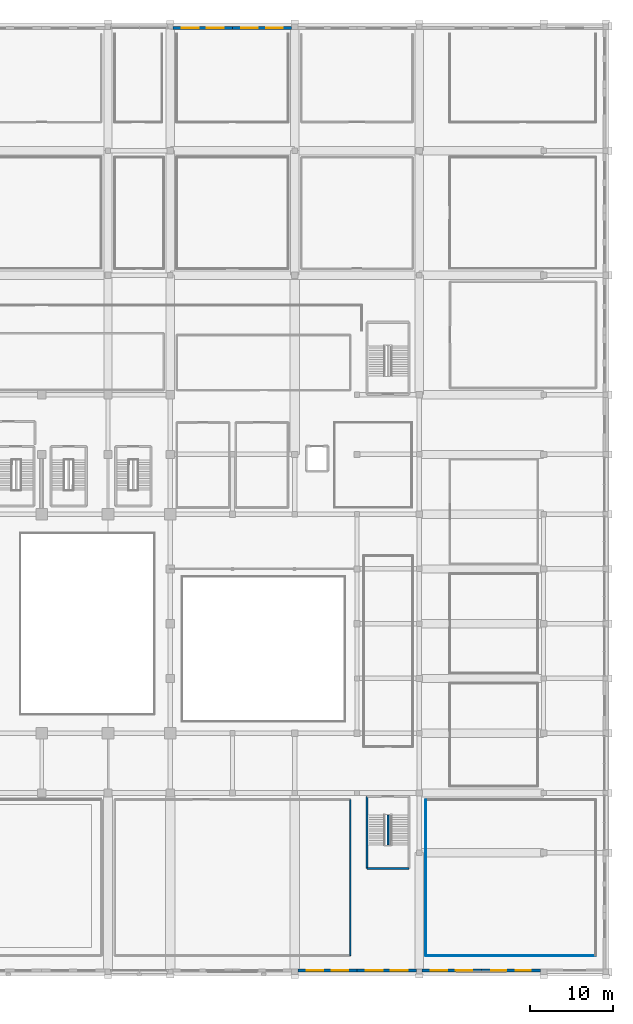
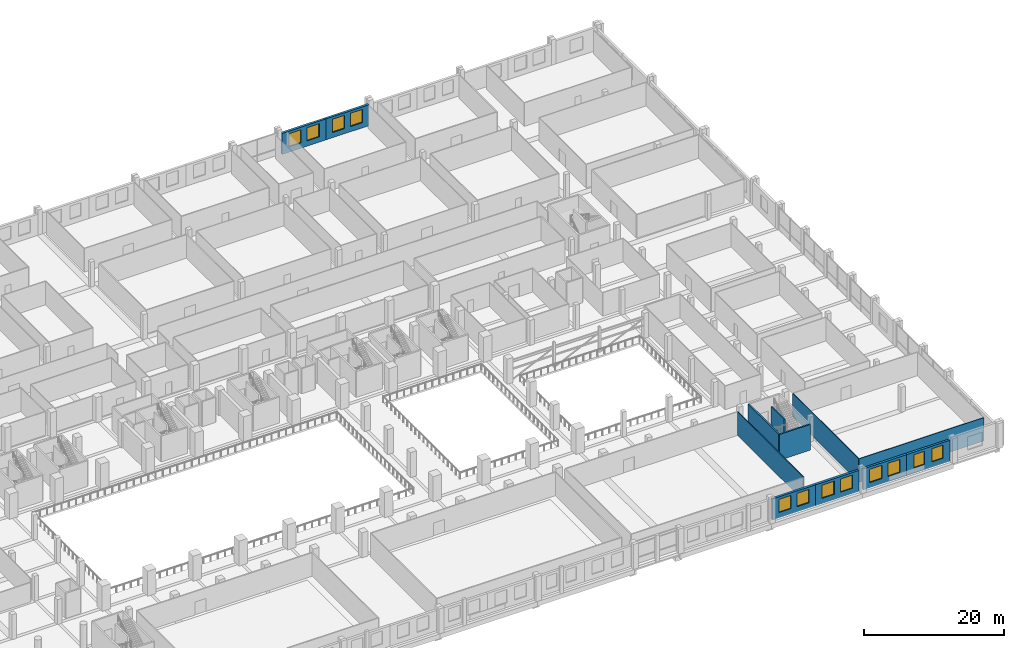
# One storey, part 50 of 64: 12 walls, 12 windows, 12 openings.
"""IFC4 building model written with IfcOpenShell, lengths in metres."""

from ifc_helpers import new_model, si_unit, direction, frame, frame_2d, origin, place, context, subcontext, project, spatial, rectangle, extrude, material, layer, layer_set, type_object, element, fill, save


model = new_model("IFC4")

# Units and contexts
model_context = context("Model", 3, precision=1e-05, world=origin(), true_north=direction((0.0, 1.0)))
body_context = subcontext(model_context, "Body", "Model", "MODEL_VIEW")
ifc_project = project(units=[si_unit("LENGTHUNIT", "METRE"), si_unit("AREAUNIT", "SQUARE_METRE"), si_unit("VOLUMEUNIT", "CUBIC_METRE"), si_unit("PLANEANGLEUNIT", "RADIAN"), si_unit("MASSUNIT", "GRAM", prefix="KILO")], contexts=[model_context])

# Site, building, storey
site_placement = place(None, origin())
site = spatial("IfcSite", under=ifc_project, at=site_placement, CompositionType="ELEMENT")
building_placement = place(site_placement, origin())
building = spatial("IfcBuilding", under=site, at=building_placement, Name="Akrevak Sports Hall", CompositionType="ELEMENT")
storey_placement = place(building_placement, frame((0.0, 0.0, 4.60009765625)))
storey = spatial("IfcBuildingStorey", under=building, at=storey_placement, Name="L01", CompositionType="ELEMENT", Elevation=4.60009765625)

# Wall, openings, windows
ifc_material_1 = material(Name="Limestone Ashlar", Category="stone")
ifc_layer_1 = layer(ifc_material_1, 0.080078125, Name="Limestone Ashlar")
ifc_material_2 = material(Name="Mineral Wool Thermal Insulation", Category="insulation")
ifc_layer_2 = layer(ifc_material_2, 0.10009765625, Name="Mineral Wool Thermal Insulation")
ifc_material_3 = material(Name="Concrete C40/50", Category="concrete")
ifc_layer_3 = layer(ifc_material_3, 0.199951171875, Name="Concrete C40/50")
ifc_layer_set_1 = layer_set([ifc_layer_1, ifc_layer_2, ifc_layer_3], Name="Limestone Ashlar / Mineral Wool Thermal Insulation / Concrete C40/50")
wall_type_1 = type_object("IfcWallType", Name="ARC-WL-EXT-380", PredefinedType="SOLIDWALL", material=ifc_layer_set_1)
wall_1_placement = place(storey_placement, frame((130.875, 0.18994140625, 0.0), z_axis=(0.0, 0.0, 1.0), x_axis=(1.0, 0.0, 0.0)))
wall_1 = element("IfcWall", 1, at=wall_1_placement, inside=storey, type_object=wall_type_1, Name="Exterior Limestone Wall L01-S16", PredefinedType="SOLIDWALL", context=body_context, shape_type="SweptSolid", body=[
    extrude(rectangle(XDim=7.125, YDim=0.3798828125, at=frame_2d((3.5625, 0.0))), origin(), (0.0, 0.0, 1.0), 3.64990234375),
])
opening_1_placement = place(wall_1_placement, frame((1.066162109375, 0.0, 0.919921875)))
opening_1 = element("IfcOpeningElement", 2, at=opening_1_placement, cuts=wall_1, Name="Opening WN-29", PredefinedType="OPENING", context=body_context, shape_type="SweptSolid", body=[
    extrude(rectangle(XDim=2.0, YDim=2.300048828125, at=frame_2d((1.0, 1.14990234375))), frame((0.0, 0.201904296875, 0.0), z_axis=(0.0, -1.0, 0.0), x_axis=(1.0, 0.0, 0.0)), (0.0, 0.0, 1.0), 0.40380859375),
])
opening_2_placement = place(wall_1_placement, frame((4.058837890625, 0.0, 0.919921875)))
opening_2 = element("IfcOpeningElement", 3, at=opening_2_placement, cuts=wall_1, Name="Opening WN-29", PredefinedType="OPENING", context=body_context, shape_type="SweptSolid", body=[
    extrude(rectangle(XDim=2.0, YDim=2.300048828125, at=frame_2d((1.0, 1.14990234375))), frame((0.0, 0.201904296875, 0.0), z_axis=(0.0, -1.0, 0.0), x_axis=(1.0, 0.0, 0.0)), (0.0, 0.0, 1.0), 0.40380859375),
])
ifc_material_4 = material(Name="Thermally Broken Bronze Frame & Double Low-E Glass", Category="glass")
window_type_1 = type_object("IfcWindowType", Name="ARC-WIN-SZ-2000x2300", PartitioningType="SINGLE_PANEL", PredefinedType="WINDOW", material=ifc_material_4)
window_1_placement = place(opening_1_placement, origin())
window_1 = element("IfcWindow", 4, at=window_1_placement, inside=storey, type_object=window_type_1, Name="Beaux-Arts Facade Window WIN-L01-S16-1", OverallHeight=2.300048828125, OverallWidth=2.0, PartitioningType="SINGLE_PANEL", PredefinedType="WINDOW", context=body_context, shape_type="SweptSolid", body=[
    extrude(rectangle(XDim=2.0, YDim=2.300048828125, at=frame_2d((1.0, 1.14990234375))), frame((0.0, 0.030029296875, 0.0), z_axis=(0.0, -1.0, 0.0), x_axis=(1.0, 0.0, 0.0)), (0.0, 0.0, 1.0), 0.06005859375),
])
fill(opening_1, window_1)
window_2_placement = place(opening_2_placement, origin())
window_2 = element("IfcWindow", 5, at=window_2_placement, inside=storey, type_object=window_type_1, Name="Beaux-Arts Facade Window WIN-L01-S16-2", OverallHeight=2.300048828125, OverallWidth=2.0, PartitioningType="SINGLE_PANEL", PredefinedType="WINDOW", context=body_context, shape_type="SweptSolid", body=[
    extrude(rectangle(XDim=2.0, YDim=2.300048828125, at=frame_2d((1.0, 1.14990234375))), frame((0.0, 0.030029296875, 0.0), z_axis=(0.0, -1.0, 0.0), x_axis=(1.0, 0.0, 0.0)), (0.0, 0.0, 1.0), 0.06005859375),
])
fill(opening_2, window_2)

wall_2_placement = place(storey_placement, frame((138.0, 0.18994140625, 0.0), z_axis=(0.0, 0.0, 1.0), x_axis=(1.0, 0.0, 0.0)))
wall_2 = element("IfcWall", 6, at=wall_2_placement, inside=storey, type_object=wall_type_1, Name="Exterior Limestone Wall L01-S17", PredefinedType="SOLIDWALL", context=body_context, shape_type="SweptSolid", body=[
    extrude(rectangle(XDim=7.175048828125, YDim=0.3798828125, at=frame_2d((3.58740234375, 0.0))), origin(), (0.0, 0.0, 1.0), 3.64990234375),
])
opening_3_placement = place(wall_2_placement, frame((1.080810546875, 0.0, 0.919921875)))
opening_3 = element("IfcOpeningElement", 7, at=opening_3_placement, cuts=wall_2, Name="Opening WN-29", PredefinedType="OPENING", context=body_context, shape_type="SweptSolid", body=[
    extrude(rectangle(XDim=2.0, YDim=2.300048828125, at=frame_2d((1.0, 1.14990234375))), frame((0.0, 0.201904296875, 0.0), z_axis=(0.0, -1.0, 0.0), x_axis=(1.0, 0.0, 0.0)), (0.0, 0.0, 1.0), 0.40380859375),
])
opening_4_placement = place(wall_2_placement, frame((4.09423828125, 0.0, 0.919921875)))
opening_4 = element("IfcOpeningElement", 8, at=opening_4_placement, cuts=wall_2, Name="Opening WN-29", PredefinedType="OPENING", context=body_context, shape_type="SweptSolid", body=[
    extrude(rectangle(XDim=2.0, YDim=2.300048828125, at=frame_2d((1.0, 1.14990234375))), frame((0.0, 0.201904296875, 0.0), z_axis=(0.0, -1.0, 0.0), x_axis=(1.0, 0.0, 0.0)), (0.0, 0.0, 1.0), 0.40380859375),
])
window_3_placement = place(opening_3_placement, origin())
window_3 = element("IfcWindow", 9, at=window_3_placement, inside=storey, type_object=window_type_1, Name="Beaux-Arts Facade Window WIN-L01-S17-1", OverallHeight=2.300048828125, OverallWidth=2.0, PartitioningType="SINGLE_PANEL", PredefinedType="WINDOW", context=body_context, shape_type="SweptSolid", body=[
    extrude(rectangle(XDim=2.0, YDim=2.300048828125, at=frame_2d((1.0, 1.14990234375))), frame((0.0, 0.030029296875, 0.0), z_axis=(0.0, -1.0, 0.0), x_axis=(1.0, 0.0, 0.0)), (0.0, 0.0, 1.0), 0.06005859375),
])
fill(opening_3, window_3)
window_4_placement = place(opening_4_placement, origin())
window_4 = element("IfcWindow", 10, at=window_4_placement, inside=storey, type_object=window_type_1, Name="Beaux-Arts Facade Window WIN-L01-S17-2", OverallHeight=2.300048828125, OverallWidth=2.0, PartitioningType="SINGLE_PANEL", PredefinedType="WINDOW", context=body_context, shape_type="SweptSolid", body=[
    extrude(rectangle(XDim=2.0, YDim=2.300048828125, at=frame_2d((1.0, 1.14990234375))), frame((0.0, 0.030029296875, 0.0), z_axis=(0.0, -1.0, 0.0), x_axis=(1.0, 0.0, 0.0)), (0.0, 0.0, 1.0), 0.06005859375),
])
fill(opening_4, window_4)

wall_3_placement = place(storey_placement, frame((145.824951171875, 0.18994140625, 0.0), z_axis=(0.0, 0.0, 1.0), x_axis=(1.0, 0.0, 0.0)))
wall_3 = element("IfcWall", 11, at=wall_3_placement, inside=storey, type_object=wall_type_1, Name="Exterior Limestone Wall L01-S18", PredefinedType="SOLIDWALL", context=body_context, shape_type="SweptSolid", body=[
    extrude(rectangle(XDim=7.175048828125, YDim=0.3798828125, at=frame_2d((3.58740234375, 0.0))), origin(), (0.0, 0.0, 1.0), 3.64990234375),
])
opening_5_placement = place(wall_3_placement, frame((1.080810546875, 0.0, 0.919921875)))
opening_5 = element("IfcOpeningElement", 12, at=opening_5_placement, cuts=wall_3, Name="Opening WN-29", PredefinedType="OPENING", context=body_context, shape_type="SweptSolid", body=[
    extrude(rectangle(XDim=2.0, YDim=2.300048828125, at=frame_2d((1.0, 1.14990234375))), frame((0.0, 0.201904296875, 0.0), z_axis=(0.0, -1.0, 0.0), x_axis=(1.0, 0.0, 0.0)), (0.0, 0.0, 1.0), 0.40380859375),
])
opening_6_placement = place(wall_3_placement, frame((4.09423828125, 0.0, 0.919921875)))
opening_6 = element("IfcOpeningElement", 13, at=opening_6_placement, cuts=wall_3, Name="Opening WN-29", PredefinedType="OPENING", context=body_context, shape_type="SweptSolid", body=[
    extrude(rectangle(XDim=2.0, YDim=2.300048828125, at=frame_2d((1.0, 1.14990234375))), frame((0.0, 0.201904296875, 0.0), z_axis=(0.0, -1.0, 0.0), x_axis=(1.0, 0.0, 0.0)), (0.0, 0.0, 1.0), 0.40380859375),
])
window_5_placement = place(opening_5_placement, origin())
window_5 = element("IfcWindow", 14, at=window_5_placement, inside=storey, type_object=window_type_1, Name="Beaux-Arts Facade Window WIN-L01-S18-1", OverallHeight=2.300048828125, OverallWidth=2.0, PartitioningType="SINGLE_PANEL", PredefinedType="WINDOW", context=body_context, shape_type="SweptSolid", body=[
    extrude(rectangle(XDim=2.0, YDim=2.300048828125, at=frame_2d((1.0, 1.14990234375))), frame((0.0, 0.030029296875, 0.0), z_axis=(0.0, -1.0, 0.0), x_axis=(1.0, 0.0, 0.0)), (0.0, 0.0, 1.0), 0.06005859375),
])
fill(opening_5, window_5)
window_6_placement = place(opening_6_placement, origin())
window_6 = element("IfcWindow", 15, at=window_6_placement, inside=storey, type_object=window_type_1, Name="Beaux-Arts Facade Window WIN-L01-S18-2", OverallHeight=2.300048828125, OverallWidth=2.0, PartitioningType="SINGLE_PANEL", PredefinedType="WINDOW", context=body_context, shape_type="SweptSolid", body=[
    extrude(rectangle(XDim=2.0, YDim=2.300048828125, at=frame_2d((1.0, 1.14990234375))), frame((0.0, 0.030029296875, 0.0), z_axis=(0.0, -1.0, 0.0), x_axis=(1.0, 0.0, 0.0)), (0.0, 0.0, 1.0), 0.06005859375),
])
fill(opening_6, window_6)

wall_4_placement = place(storey_placement, frame((153.0, 0.18994140625, 0.0), z_axis=(0.0, 0.0, 1.0), x_axis=(1.0, 0.0, 0.0)))
wall_4 = element("IfcWall", 16, at=wall_4_placement, inside=storey, type_object=wall_type_1, Name="Exterior Limestone Wall L01-S19", PredefinedType="SOLIDWALL", context=body_context, shape_type="SweptSolid", body=[
    extrude(rectangle(XDim=7.125, YDim=0.3798828125, at=frame_2d((3.5625, 0.0))), origin(), (0.0, 0.0, 1.0), 3.64990234375),
])
opening_7_placement = place(wall_4_placement, frame((1.166259765625, 0.0, 0.919921875)))
opening_7 = element("IfcOpeningElement", 17, at=opening_7_placement, cuts=wall_4, Name="Opening WN-31", PredefinedType="OPENING", context=body_context, shape_type="SweptSolid", body=[
    extrude(rectangle(XDim=1.800048828125, YDim=2.300048828125, at=frame_2d((0.89990234375, 1.14990234375))), frame((0.0, 0.201904296875, 0.0), z_axis=(0.0, -1.0, 0.0), x_axis=(1.0, 0.0, 0.0)), (0.0, 0.0, 1.0), 0.40380859375),
])
opening_8_placement = place(wall_4_placement, frame((4.15869140625, 0.0, 0.919921875)))
opening_8 = element("IfcOpeningElement", 18, at=opening_8_placement, cuts=wall_4, Name="Opening WN-31", PredefinedType="OPENING", context=body_context, shape_type="SweptSolid", body=[
    extrude(rectangle(XDim=1.800048828125, YDim=2.300048828125, at=frame_2d((0.89990234375, 1.14990234375))), frame((0.0, 0.201904296875, 0.0), z_axis=(0.0, -1.0, 0.0), x_axis=(1.0, 0.0, 0.0)), (0.0, 0.0, 1.0), 0.40380859375),
])
window_type_2 = type_object("IfcWindowType", Name="ARC-WIN-SZ-1800x2300", PartitioningType="SINGLE_PANEL", PredefinedType="WINDOW", material=ifc_material_4)
window_7_placement = place(opening_7_placement, origin())
window_7 = element("IfcWindow", 19, at=window_7_placement, inside=storey, type_object=window_type_2, Name="Beaux-Arts Facade Window WIN-L01-S19-1", OverallHeight=2.300048828125, OverallWidth=1.800048828125, PartitioningType="SINGLE_PANEL", PredefinedType="WINDOW", context=body_context, shape_type="SweptSolid", body=[
    extrude(rectangle(XDim=1.800048828125, YDim=2.300048828125, at=frame_2d((0.89990234375, 1.14990234375))), frame((0.0, 0.030029296875, 0.0), z_axis=(0.0, -1.0, 0.0), x_axis=(1.0, 0.0, 0.0)), (0.0, 0.0, 1.0), 0.06005859375),
])
fill(opening_7, window_7)
window_8_placement = place(opening_8_placement, origin())
window_8 = element("IfcWindow", 20, at=window_8_placement, inside=storey, type_object=window_type_2, Name="Beaux-Arts Facade Window WIN-L01-S19-2", OverallHeight=2.300048828125, OverallWidth=1.800048828125, PartitioningType="SINGLE_PANEL", PredefinedType="WINDOW", context=body_context, shape_type="SweptSolid", body=[
    extrude(rectangle(XDim=1.800048828125, YDim=2.300048828125, at=frame_2d((0.89990234375, 1.14990234375))), frame((0.0, 0.030029296875, 0.0), z_axis=(0.0, -1.0, 0.0), x_axis=(1.0, 0.0, 0.0)), (0.0, 0.0, 1.0), 0.06005859375),
])
fill(opening_8, window_8)

wall_5_placement = place(storey_placement, frame((123.0, 113.81005859375, 0.0), z_axis=(0.0, 0.0, 1.0), x_axis=(-1.0, 0.0, 0.0)))
wall_5 = element("IfcWall", 21, at=wall_5_placement, inside=storey, type_object=wall_type_1, Name="Exterior Limestone Wall L01-N16", PredefinedType="SOLIDWALL", context=body_context, shape_type="SweptSolid", body=[
    extrude(rectangle(XDim=7.175048828125, YDim=0.3798828125, at=frame_2d((3.58740234375, 0.0))), origin(), (0.0, 0.0, 1.0), 3.64990234375),
])
opening_9_placement = place(wall_5_placement, frame((4.09423828125, 0.0, 0.919921875)))
opening_9 = element("IfcOpeningElement", 22, at=opening_9_placement, cuts=wall_5, Name="Opening WN-29", PredefinedType="OPENING", context=body_context, shape_type="SweptSolid", body=[
    extrude(rectangle(XDim=2.0, YDim=2.300048828125, at=frame_2d((1.0, 1.14990234375))), frame((0.0, 0.201904296875, 0.0), z_axis=(0.0, -1.0, 0.0), x_axis=(1.0, 0.0, 0.0)), (0.0, 0.0, 1.0), 0.40380859375),
])
opening_10_placement = place(wall_5_placement, frame((1.080810546875, 0.0, 0.919921875)))
opening_10 = element("IfcOpeningElement", 23, at=opening_10_placement, cuts=wall_5, Name="Opening WN-29", PredefinedType="OPENING", context=body_context, shape_type="SweptSolid", body=[
    extrude(rectangle(XDim=2.0, YDim=2.300048828125, at=frame_2d((1.0, 1.14990234375))), frame((0.0, 0.201904296875, 0.0), z_axis=(0.0, -1.0, 0.0), x_axis=(1.0, 0.0, 0.0)), (0.0, 0.0, 1.0), 0.40380859375),
])
window_9_placement = place(opening_9_placement, origin())
window_9 = element("IfcWindow", 24, at=window_9_placement, inside=storey, type_object=window_type_1, Name="Beaux-Arts Facade Window WIN-L01-N16-1", OverallHeight=2.300048828125, OverallWidth=2.0, PartitioningType="SINGLE_PANEL", PredefinedType="WINDOW", context=body_context, shape_type="SweptSolid", body=[
    extrude(rectangle(XDim=2.0, YDim=2.300048828125, at=frame_2d((1.0, 1.14990234375))), frame((0.0, 0.030029296875, 0.0), z_axis=(0.0, -1.0, 0.0), x_axis=(1.0, 0.0, 0.0)), (0.0, 0.0, 1.0), 0.06005859375),
])
fill(opening_9, window_9)
window_10_placement = place(opening_10_placement, origin())
window_10 = element("IfcWindow", 25, at=window_10_placement, inside=storey, type_object=window_type_1, Name="Beaux-Arts Facade Window WIN-L01-N16-2", OverallHeight=2.300048828125, OverallWidth=2.0, PartitioningType="SINGLE_PANEL", PredefinedType="WINDOW", context=body_context, shape_type="SweptSolid", body=[
    extrude(rectangle(XDim=2.0, YDim=2.300048828125, at=frame_2d((1.0, 1.14990234375))), frame((0.0, 0.030029296875, 0.0), z_axis=(0.0, -1.0, 0.0), x_axis=(1.0, 0.0, 0.0)), (0.0, 0.0, 1.0), 0.06005859375),
])
fill(opening_10, window_10)

wall_6_placement = place(storey_placement, frame((130.125, 113.81005859375, 0.0), z_axis=(0.0, 0.0, 1.0), x_axis=(-1.0, 0.0, 0.0)))
wall_6 = element("IfcWall", 26, at=wall_6_placement, inside=storey, type_object=wall_type_1, Name="Exterior Limestone Wall L01-N17", PredefinedType="SOLIDWALL", context=body_context, shape_type="SweptSolid", body=[
    extrude(rectangle(XDim=7.125, YDim=0.3798828125, at=frame_2d((3.5625, 0.0))), origin(), (0.0, 0.0, 1.0), 3.64990234375),
])
opening_11_placement = place(wall_6_placement, frame((4.058837890625, 0.0, 0.919921875)))
opening_11 = element("IfcOpeningElement", 27, at=opening_11_placement, cuts=wall_6, Name="Opening WN-29", PredefinedType="OPENING", context=body_context, shape_type="SweptSolid", body=[
    extrude(rectangle(XDim=2.0, YDim=2.300048828125, at=frame_2d((1.0, 1.14990234375))), frame((0.0, 0.201904296875, 0.0), z_axis=(0.0, -1.0, 0.0), x_axis=(1.0, 0.0, 0.0)), (0.0, 0.0, 1.0), 0.40380859375),
])
opening_12_placement = place(wall_6_placement, frame((1.066162109375, 0.0, 0.919921875)))
opening_12 = element("IfcOpeningElement", 28, at=opening_12_placement, cuts=wall_6, Name="Opening WN-29", PredefinedType="OPENING", context=body_context, shape_type="SweptSolid", body=[
    extrude(rectangle(XDim=2.0, YDim=2.300048828125, at=frame_2d((1.0, 1.14990234375))), frame((0.0, 0.201904296875, 0.0), z_axis=(0.0, -1.0, 0.0), x_axis=(1.0, 0.0, 0.0)), (0.0, 0.0, 1.0), 0.40380859375),
])
window_11_placement = place(opening_11_placement, origin())
window_11 = element("IfcWindow", 29, at=window_11_placement, inside=storey, type_object=window_type_1, Name="Beaux-Arts Facade Window WIN-L01-N17-1", OverallHeight=2.300048828125, OverallWidth=2.0, PartitioningType="SINGLE_PANEL", PredefinedType="WINDOW", context=body_context, shape_type="SweptSolid", body=[
    extrude(rectangle(XDim=2.0, YDim=2.300048828125, at=frame_2d((1.0, 1.14990234375))), frame((0.0, 0.030029296875, 0.0), z_axis=(0.0, -1.0, 0.0), x_axis=(1.0, 0.0, 0.0)), (0.0, 0.0, 1.0), 0.06005859375),
])
fill(opening_11, window_11)
window_12_placement = place(opening_12_placement, origin())
window_12 = element("IfcWindow", 30, at=window_12_placement, inside=storey, type_object=window_type_1, Name="Beaux-Arts Facade Window WIN-L01-N17-2", OverallHeight=2.300048828125, OverallWidth=2.0, PartitioningType="SINGLE_PANEL", PredefinedType="WINDOW", context=body_context, shape_type="SweptSolid", body=[
    extrude(rectangle(XDim=2.0, YDim=2.300048828125, at=frame_2d((1.0, 1.14990234375))), frame((0.0, 0.030029296875, 0.0), z_axis=(0.0, -1.0, 0.0), x_axis=(1.0, 0.0, 0.0)), (0.0, 0.0, 1.0), 0.06005859375),
])
fill(opening_12, window_12)

# Walls
ifc_material_5 = material(Name="Lightweight Office Partition", Category="gypsum")
ifc_layer_4 = layer(ifc_material_5, 0.110107421875, Name="Lightweight Office Partition")
ifc_layer_set_2 = layer_set([ifc_layer_4], Name="Lightweight Office Partition")
wall_type_2 = type_object("IfcWallType", Name="ARC-WL-PRT-110", PredefinedType="PARTITIONING", material=ifc_layer_set_2)
wall_7_placement = place(storey_placement, frame((146.300048828125, 2.0, 0.0), z_axis=(0.0, 0.0, 1.0), x_axis=(1.0, 0.0, 0.0)))
element("IfcWall", 31, at=wall_7_placement, inside=storey, type_object=wall_type_2, Name="Interior Partition South-East Sports Academy Office L01 (S)", PredefinedType="PARTITIONING", context=body_context, shape_type="SweptSolid", body=[
    extrude(rectangle(XDim=20.5, YDim=0.110107421875, at=frame_2d((10.25, 0.0))), origin(), (0.0, 0.0, 1.0), 4.079833984375),
])
wall_8_placement = place(storey_placement, frame((146.300048828125, 2.0, 0.0), z_axis=(0.0, 0.0, 1.0), x_axis=(0.0, 1.0, 0.0)))
element("IfcWall", 32, at=wall_8_placement, inside=storey, type_object=wall_type_2, Name="Interior Partition South-East Sports Academy Office L01 (W)", PredefinedType="PARTITIONING", context=body_context, shape_type="SweptSolid", body=[
    extrude(rectangle(XDim=18.800048828125, YDim=0.110107421875, at=frame_2d((9.39990234375, 0.0))), origin(), (0.0, 0.0, 1.0), 4.079833984375),
])
ifc_material_6 = material(Name="Double Stud Acoustic Gypsum Partition", Category="gypsum")
ifc_layer_5 = layer(ifc_material_6, 0.14990234375, Name="Double Stud Acoustic Gypsum Partition")
ifc_layer_set_3 = layer_set([ifc_layer_5], Name="Double Stud Acoustic Gypsum Partition")
wall_type_3 = type_object("IfcWallType", Name="ARC-WL-PRT-150", PredefinedType="PARTITIONING", material=ifc_layer_set_3)
wall_9_placement = place(storey_placement, frame((137.199951171875, 2.0, 0.0), z_axis=(0.0, 0.0, 1.0), x_axis=(0.0, 1.0, 0.0)))
element("IfcWall", 33, at=wall_9_placement, inside=storey, type_object=wall_type_3, Name="Interior Partition Fitness Studio 3 - Functional Training (E)", PredefinedType="PARTITIONING", context=body_context, shape_type="SweptSolid", body=[
    extrude(rectangle(XDim=18.800048828125, YDim=0.14990234375, at=frame_2d((9.39990234375, 0.0))), origin(), (0.0, 0.0, 1.0), 4.079833984375),
])
ifc_layer_6 = layer(ifc_material_3, 0.219970703125, Name="Concrete C40/50")
ifc_layer_set_4 = layer_set([ifc_layer_6], Name="Concrete C40/50")
wall_type_4 = type_object("IfcWallType", Name="ARC-WL-PRT-220", PredefinedType="PARTITIONING", material=ifc_layer_set_4)
wall_10_placement = place(storey_placement, frame((141.75, 15.31005859375, 0.0), z_axis=(0.0, 0.0, 1.0), x_axis=(0.0, 1.0, 0.0)))
element("IfcWall", 34, at=wall_10_placement, inside=storey, type_object=wall_type_4, Name="Stair ST7 Central Spine Wall (L01)", PredefinedType="PARTITIONING", context=body_context, shape_type="SweptSolid", body=[
    extrude(rectangle(XDim=3.639892578125, YDim=0.219970703125, at=frame_2d((1.81982421875, 0.0))), origin(), (0.0, 0.0, 1.0), 4.47998046875),
])
ifc_material_7 = material(Name="Concrete C50/60", Category="concrete")
ifc_layer_7 = layer(ifc_material_7, 0.25, Name="Concrete C50/60")
ifc_layer_set_5 = layer_set([ifc_layer_7], Name="Concrete C50/60")
wall_type_5 = type_object("IfcWallType", Name="STR-WL-STAIR-250", PredefinedType="SHEAR", material=ifc_layer_set_5)
wall_11_placement = place(storey_placement, frame((139.22509765625, 12.47509765625, 0.0), z_axis=(0.0, 0.0, 1.0), x_axis=(1.0, 0.0, 0.0)))
element("IfcWall", 35, at=wall_11_placement, inside=storey, type_object=wall_type_5, Name="Stair Core ST7 Shear Wall S (L01)", PredefinedType="SHEAR", context=body_context, shape_type="SweptSolid", body=[
    extrude(rectangle(XDim=5.0498046875, YDim=0.25, at=frame_2d((2.52490234375, 0.0))), origin(), (0.0, 0.0, 1.0), 4.47998046875),
])
wall_12_placement = place(storey_placement, frame((139.22509765625, 21.175048828125, 0.0), z_axis=(0.0, 0.0, 1.0), x_axis=(0.0, -1.0, 0.0)))
element("IfcWall", 36, at=wall_12_placement, inside=storey, type_object=wall_type_5, Name="Stair Core ST7 Shear Wall W (L01)", PredefinedType="SHEAR", context=body_context, shape_type="SweptSolid", body=[
    extrude(rectangle(XDim=8.699951171875, YDim=0.25, at=frame_2d((4.35009765625, 0.0))), origin(), (0.0, 0.0, 1.0), 4.47998046875),
])

save(model, "model.ifc")
